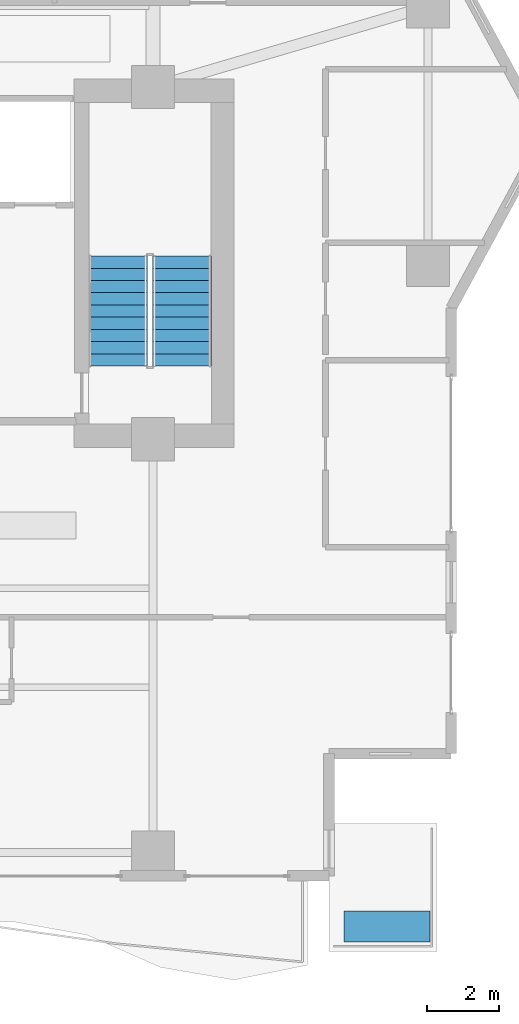
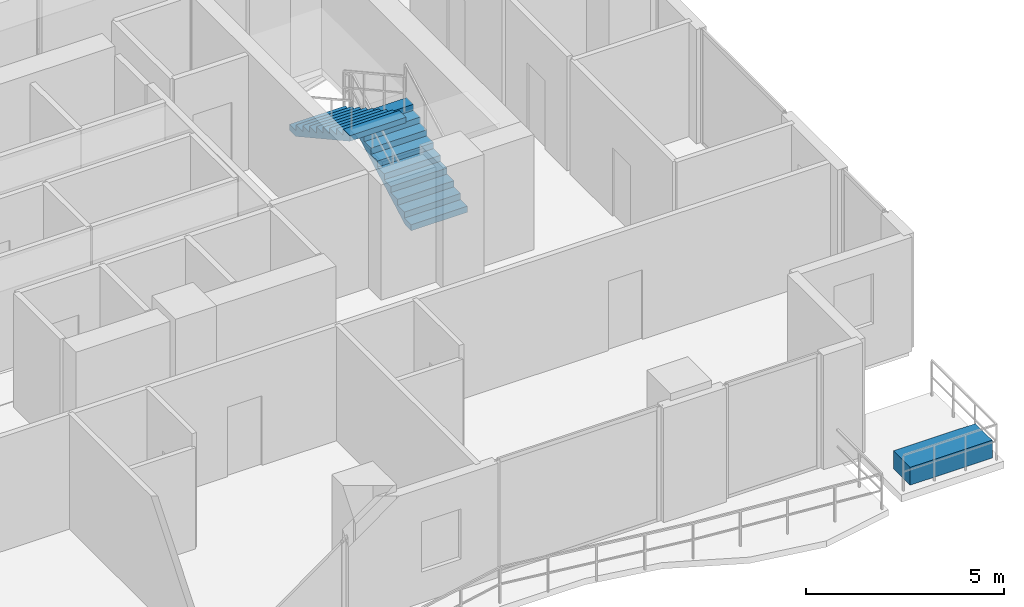
# One storey, part 29 of 33: 2 stair flights, 1 building element part, 1 element without a shape of its own.
"""IFC4 building model written with IfcOpenShell, lengths in metres."""

from ifc_helpers import new_model, si_unit, direction, frame, origin, origin_2d, place, context, subcontext, project, spatial, polyline, rectangle, outline, extrude, material, layer, layer_set, type_object, element, aggregate, save


model = new_model("IFC4")

# Units and contexts
model_context = context("Model", 3, precision=1e-05, world=origin(), true_north=direction((0.0, 1.0)))
body_context = subcontext(model_context, "Body", "Model", "MODEL_VIEW")
ifc_project = project(units=[si_unit("LENGTHUNIT", "METRE"), si_unit("AREAUNIT", "SQUARE_METRE"), si_unit("VOLUMEUNIT", "CUBIC_METRE"), si_unit("PLANEANGLEUNIT", "RADIAN"), si_unit("MASSUNIT", "GRAM", prefix="KILO")], contexts=[model_context])

# Site, building, storey
site_placement = place(None, origin())
site = spatial("IfcSite", under=ifc_project, at=site_placement, CompositionType="ELEMENT")
building_placement = place(site_placement, origin())
building = spatial("IfcBuilding", under=site, at=building_placement, Name="Zuhayl Quay Hotel", CompositionType="ELEMENT")
storey_placement = place(building_placement, frame((0.0, 0.0, 199.89990234375)))
storey = spatial("IfcBuildingStorey", under=building, at=storey_placement, Name="L50", CompositionType="ELEMENT", Elevation=199.89990234375)

# Stair, stair flights
ifc_material_1 = material(Name="Concrete C45/55", Category="concrete")
stair_type = type_object("IfcStairType", Name="ST_DOGLEG_TOWER", PredefinedType="HALF_TURN_STAIR", material=ifc_material_1)
stair_placement = place(storey_placement, origin())
stair = element("IfcStair", 1, at=stair_placement, inside=storey, type_object=stair_type, Name="L50 Smokeproof Exit Stair ST2", PredefinedType="HALF_TURN_STAIR")
ifc_layer_1 = layer(ifc_material_1, 0.159912109375, Name="Concrete C45/55", Category="concrete")
ifc_layer_set_1 = layer_set([ifc_layer_1], Name="Concrete C45/55")
stair_flight_type = type_object("IfcStairFlightType", Name="SF_CONC_164", PredefinedType="STRAIGHT", material=ifc_layer_set_1)
stair_flight_1_placement = place(storey_placement, frame((14.610107421875, 6.590087890625, 0.0), z_axis=(0.0, 0.0, 1.0), x_axis=(0.0, 1.0, 0.0)))
stair_flight_1 = element("IfcStairFlight", 2, at=stair_flight_1_placement, type_object=stair_flight_type, Name="ST2 flight 1", NumberOfRisers=10, NumberOfTreads=9, PredefinedType="STRAIGHT", RiserHeight=0.1875, TreadLength=0.34, context=body_context, shape_type="SweptSolid", body=[
    extrude(outline(polyline([(0.0, 0.0), (0.0, 0.1875), (0.340087890625, 0.1875), (0.340087890625, 0.375), (0.679931640625, 0.375), (0.679931640625, 0.5625), (1.02001953125, 0.5625), (1.02001953125, 0.75), (1.360107421875, 0.75), (1.360107421875, 0.9375), (1.699951171875, 0.9375), (1.699951171875, 1.125), (2.0400390625, 1.125), (2.0400390625, 1.3125), (2.3798828125, 1.3125), (2.3798828125, 1.5), (2.719970703125, 1.5), (2.719970703125, 1.6875), (3.06005859375, 1.6875), (3.06005859375, 1.875), (3.06005859375, 1.516357421875), (0.310302734375, 0.0), (0.0, 0.0)])), frame((0.0, 0.81982421875, 0.0), z_axis=(0.0, -1.0, 0.0), x_axis=(1.0, 0.0, 0.0)), (0.0, 0.0, 1.0), 1.639892578125),
])
stair_flight_2_placement = place(storey_placement, frame((12.820068359375, 9.64990234375, 1.875), z_axis=(0.0, 0.0, 1.0), x_axis=(0.0, -1.0, 0.0)))
stair_flight_2 = element("IfcStairFlight", 3, at=stair_flight_2_placement, type_object=stair_flight_type, Name="ST2 flight 2", NumberOfRisers=10, NumberOfTreads=9, PredefinedType="STRAIGHT", RiserHeight=0.1875, TreadLength=0.34, context=body_context, shape_type="SweptSolid", body=[
    extrude(outline(polyline([(0.0, 0.0), (0.0, 0.1875), (0.340087890625, 0.1875), (0.340087890625, 0.375), (0.679931640625, 0.375), (0.679931640625, 0.5625), (1.02001953125, 0.5625), (1.02001953125, 0.75), (1.360107421875, 0.75), (1.360107421875, 0.9375), (1.699951171875, 0.9375), (1.699951171875, 1.125), (2.0400390625, 1.125), (2.0400390625, 1.3125), (2.3798828125, 1.3125), (2.3798828125, 1.5), (2.719970703125, 1.5), (2.719970703125, 1.6875), (3.06005859375, 1.6875), (3.06005859375, 1.875), (3.06005859375, 1.516357421875), (0.310302734375, 0.0), (0.0, 0.0)])), frame((0.0, 0.81982421875, 0.0), z_axis=(0.0, -1.0, 0.0), x_axis=(1.0, 0.0, 0.0)), (0.0, 0.0, 1.0), 1.639892578125),
])
aggregate(stair, [stair_flight_1, stair_flight_2])

# Building element part
ifc_material_2 = material(Name="Precast concrete C45/55", Category="concrete")
ifc_layer_2 = layer(ifc_material_2, 0.550048828125, Name="Precast concrete C45/55", Category="concrete")
ifc_layer_set_2 = layer_set([ifc_layer_2], Name="Precast concrete C45/55")
building_element_part_type = type_object("IfcBuildingElementPartType", Name="PT_PLANTER_KERB", PredefinedType="PRECASTPANEL", material=ifc_layer_set_2)
building_element_part_placement = place(storey_placement, frame((20.31005859375, -9.010009765625, 0.0), z_axis=(0.0, 0.0, 1.0), x_axis=(1.0, 0.0, 0.0)))
element("IfcBuildingElementPart", 4, at=building_element_part_placement, inside=storey, type_object=building_element_part_type, Name="L50 Spiral Sky-Terrace Planter Box SE", PredefinedType="PRECASTPANEL", context=body_context, shape_type="SweptSolid", body=[
    extrude(rectangle(XDim=2.39990234375, YDim=0.85009765625, at=origin_2d()), origin(), (0.0, 0.0, 1.0), 0.550048828125),
])

save(model, "model.ifc")
